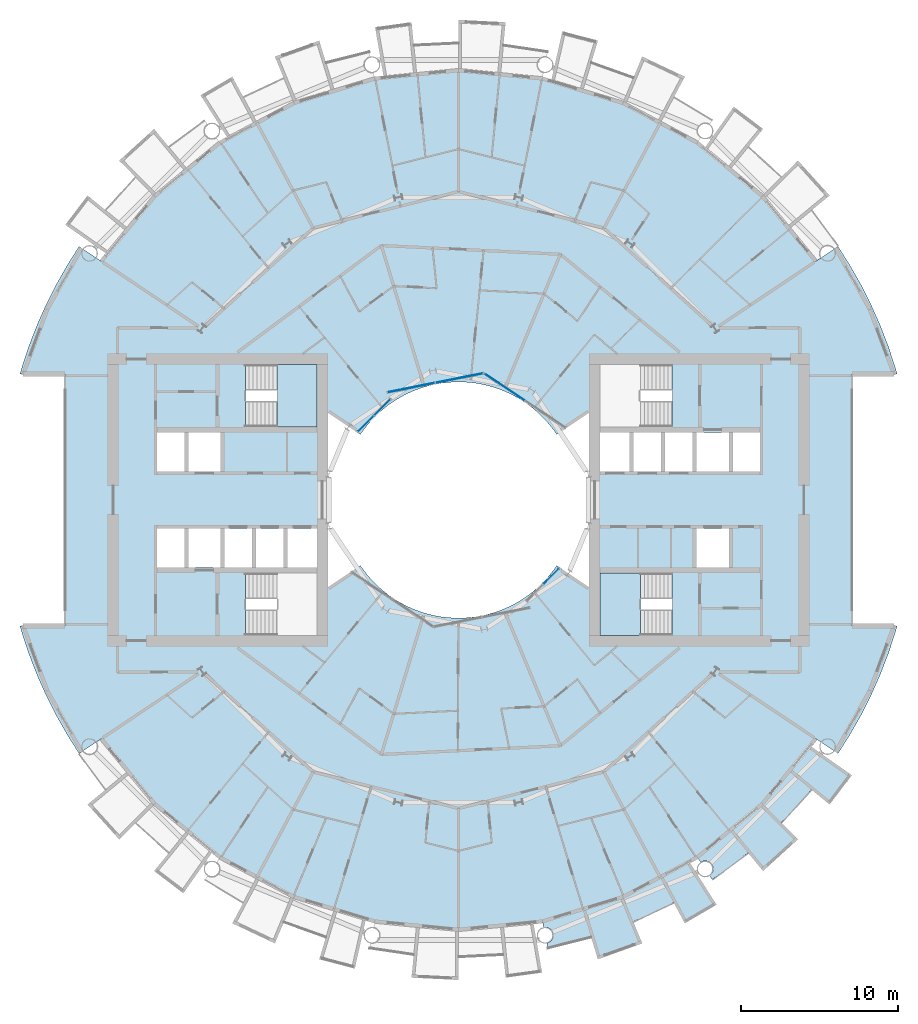
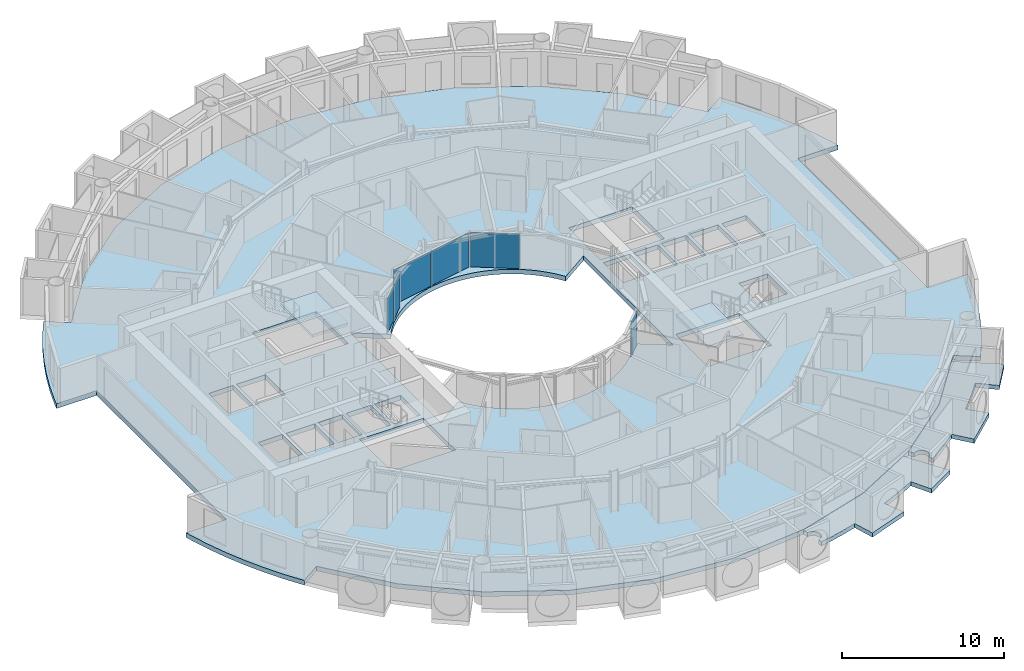
# One storey, part 10 of 26: 6 plates, 5 slabs, 6 elements without a shape of their own.
"""IFC4 building model written with IfcOpenShell, lengths in metres."""

from ifc_helpers import new_model, si_unit, direction, frame, origin, origin_2d, place, context, subcontext, project, spatial, polyline, rectangle, outline, extrude, material, layer, layer_set, type_object, element, aggregate, save


model = new_model("IFC4")

# Units and contexts
model_context = context("Model", 3, precision=1e-05, world=origin(), true_north=direction((0.0, 1.0)))
body_context = subcontext(model_context, "Body", "Model", "MODEL_VIEW")
ifc_project = project(units=[si_unit("LENGTHUNIT", "METRE"), si_unit("AREAUNIT", "SQUARE_METRE"), si_unit("VOLUMEUNIT", "CUBIC_METRE"), si_unit("PLANEANGLEUNIT", "RADIAN"), si_unit("MASSUNIT", "GRAM", prefix="KILO")], contexts=[model_context])

# Site, building, storey
site_placement = place(None, origin())
site = spatial("IfcSite", under=ifc_project, at=site_placement, CompositionType="ELEMENT")
building_placement = place(site_placement, origin())
building = spatial("IfcBuilding", under=site, at=building_placement, Name="Maasbend Ring Residences", CompositionType="ELEMENT")
storey_placement = place(building_placement, frame((0.0, 0.0, 81.89990234375)))
storey = spatial("IfcBuildingStorey", under=building, at=storey_placement, Name="L23", CompositionType="ELEMENT", Elevation=81.89990234375)

# Stair, slab
ifc_material_1 = material(Name="Concrete C40/50", Category="concrete")
stair_type = type_object("IfcStairType", Name="CORE STAIR 18 RISERS", PredefinedType="HALF_TURN_STAIR", material=ifc_material_1)
stair_1_placement = place(storey_placement, origin())
stair_1 = element("IfcStair", 1, at=stair_1_placement, inside=storey, type_object=stair_type, Name="L23 Exit stair ST-E2", PredefinedType="HALF_TURN_STAIR")
ifc_material_2 = material(Name="Concrete C40/50", Category="concrete")
ifc_layer_1 = layer(ifc_material_2, 0.199951171875)
ifc_layer_set_1 = layer_set([ifc_layer_1], Name="Concrete C40/50")
slab_type_1 = type_object("IfcSlabType", Name="CORE STAIR LANDING 200", PredefinedType="LANDING", material=ifc_layer_set_1)
slab_1_placement = place(storey_placement, frame((0.0, 0.0, 1.3251953125)))
slab_1 = element("IfcSlab", 2, at=slab_1_placement, type_object=slab_type_1, Name="ST-E2 landing 1", PredefinedType="LANDING", context=body_context, shape_type="SweptSolid", body=[
    extrude(outline(polyline([(11.550048828125, -4.64990234375), (9.0, -4.64990234375), (9.0, -8.60009765625), (11.550048828125, -8.60009765625), (11.550048828125, -4.64990234375)])), origin(), (0.0, 0.0, 1.0), 0.199951171875),
])
aggregate(stair_1, [slab_1])

stair_2_placement = place(storey_placement, origin())
stair_2 = element("IfcStair", 3, at=stair_2_placement, inside=storey, type_object=stair_type, Name="L23 Exit stair ST-W2", PredefinedType="HALF_TURN_STAIR")
slab_2_placement = place(storey_placement, frame((0.0, 0.0, 1.3251953125)))
slab_2 = element("IfcSlab", 4, at=slab_2_placement, type_object=slab_type_1, Name="ST-W2 landing 1", PredefinedType="LANDING", context=body_context, shape_type="SweptSolid", body=[
    extrude(outline(polyline([(-11.550048828125, 4.64990234375), (-9.0, 4.64990234375), (-9.0, 8.60009765625), (-11.550048828125, 8.60009765625), (-11.550048828125, 4.64990234375)])), origin(), (0.0, 0.0, 1.0), 0.199951171875),
])
aggregate(stair_2, [slab_2])

# Curtain wall, plate
ifc_material_3 = material(Name="Aluminium and clear glass", Category="aluminium")
ifc_layer_2 = layer(ifc_material_3, 0.179931640625)
ifc_layer_set_2 = layer_set([ifc_layer_2], Name="CW-W")
curtain_wall_type = type_object("IfcCurtainWallType", Name="CW-W", PredefinedType="NOTDEFINED", material=ifc_layer_set_2)
curtain_wall_1_placement = place(storey_placement, origin())
curtain_wall_1 = element("IfcCurtainWall", 5, at=curtain_wall_1_placement, inside=storey, type_object=curtain_wall_type, Name="Well curtain wall N1", PredefinedType="NOTDEFINED")
ifc_material_4 = material(Name="Glass clear laminated", Category="glass")
ifc_layer_3 = layer(ifc_material_4, 0.031982421875)
ifc_layer_set_3 = layer_set([ifc_layer_3], Name="CWP-W")
plate_type = type_object("IfcPlateType", Name="CWP-W", PredefinedType="CURTAIN_PANEL", material=ifc_layer_set_3)
plate_1_placement = place(storey_placement, frame((2.922119140625, 7.17578125, 0.0), z_axis=(0.0, 0.0, 1.0), x_axis=(-0.831469612303, 0.55557023302, 0.0)))
plate_1 = element("IfcPlate", 6, at=plate_1_placement, type_object=plate_type, Name="Glass panel well face", PredefinedType="CURTAIN_PANEL", context=body_context, shape_type="SweptSolid", body=[
    extrude(rectangle(XDim=3.053955078125, YDim=0.031982421875, at=origin_2d()), origin(), (0.0, 0.0, 1.0), 2.580078125),
])
aggregate(curtain_wall_1, [plate_1])

# Curtain wall, plates
curtain_wall_2_placement = place(storey_placement, origin())
curtain_wall_2 = element("IfcCurtainWall", 7, at=curtain_wall_2_placement, inside=storey, type_object=curtain_wall_type, Name="Well curtain wall N2", PredefinedType="NOTDEFINED")
plate_2_placement = place(storey_placement, frame((0.04638671875, 7.747802734375, 0.0), z_axis=(0.0, 0.0, 1.0), x_axis=(-0.980785280403, -0.195090322016, 0.0)))
plate_2 = element("IfcPlate", 8, at=plate_2_placement, type_object=plate_type, Name="Glass panel well face", PredefinedType="CURTAIN_PANEL", context=body_context, shape_type="SweptSolid", body=[
    extrude(rectangle(XDim=3.053955078125, YDim=0.031982421875, at=origin_2d()), origin(), (0.0, 0.0, 1.0), 2.580078125),
])
plate_3_placement = place(storey_placement, frame((-3.0078125, 7.140380859375, 0.0), z_axis=(0.0, 0.0, 1.0), x_axis=(-0.980785280403, -0.195090322016, 0.0)))
plate_3 = element("IfcPlate", 9, at=plate_3_placement, type_object=plate_type, Name="Glass panel well face", PredefinedType="CURTAIN_PANEL", context=body_context, shape_type="SweptSolid", body=[
    extrude(rectangle(XDim=3.053955078125, YDim=0.031982421875, at=origin_2d()), origin(), (0.0, 0.0, 1.0), 2.580078125),
])
aggregate(curtain_wall_2, [plate_2, plate_3])

curtain_wall_3_placement = place(storey_placement, origin())
curtain_wall_3 = element("IfcCurtainWall", 10, at=curtain_wall_3_placement, inside=storey, type_object=curtain_wall_type, Name="Well curtain wall N3", PredefinedType="NOTDEFINED")
plate_4_placement = place(storey_placement, frame((-4.84375, 5.89013671875, 0.0), z_axis=(0.0, 0.0, 1.0), x_axis=(-0.707106781187, -0.707106781187, 0.0)))
plate_4 = element("IfcPlate", 11, at=plate_4_placement, type_object=plate_type, Name="Glass panel well face", PredefinedType="CURTAIN_PANEL", context=body_context, shape_type="SweptSolid", body=[
    extrude(rectangle(XDim=1.419677734375, YDim=0.031982421875, at=origin_2d()), origin(), (0.0, 0.0, 1.0), 2.580078125),
])
plate_5_placement = place(storey_placement, frame((-5.89013671875, 4.84375, 0.0), z_axis=(0.0, 0.0, 1.0), x_axis=(-0.707106781187, -0.707106781187, 0.0)))
plate_5 = element("IfcPlate", 12, at=plate_5_placement, type_object=plate_type, Name="Glass panel well face", PredefinedType="CURTAIN_PANEL", context=body_context, shape_type="SweptSolid", body=[
    extrude(rectangle(XDim=1.419677734375, YDim=0.031982421875, at=origin_2d()), origin(), (0.0, 0.0, 1.0), 2.580078125),
])
aggregate(curtain_wall_3, [plate_4, plate_5])

# Curtain wall, plate
curtain_wall_4_placement = place(storey_placement, origin())
curtain_wall_4 = element("IfcCurtainWall", 13, at=curtain_wall_4_placement, inside=storey, type_object=curtain_wall_type, Name="Well curtain wall S3", PredefinedType="NOTDEFINED")
plate_6_placement = place(storey_placement, frame((5.89013671875, -4.84375, 0.0), z_axis=(0.0, 0.0, 1.0), x_axis=(0.707106781187, 0.707106781187, 0.0)))
plate_6 = element("IfcPlate", 14, at=plate_6_placement, type_object=plate_type, Name="Glass panel well face", PredefinedType="CURTAIN_PANEL", context=body_context, shape_type="SweptSolid", body=[
    extrude(rectangle(XDim=1.419677734375, YDim=0.031982421875, at=origin_2d()), origin(), (0.0, 0.0, 1.0), 2.580078125),
])
aggregate(curtain_wall_4, [plate_6])

# Slabs
ifc_material_5 = material(Name="Concrete C40/50", Category="concrete")
ifc_layer_4 = layer(ifc_material_5, 0.35009765625)
ifc_layer_set_4 = layer_set([ifc_layer_4], Name="Concrete C40/50")
slab_type_2 = type_object("IfcSlabType", Name="Post-tensioned flat plate 350", PredefinedType="FLOOR", material=ifc_layer_set_4)
slab_3_placement = place(storey_placement, frame((0.0, 0.0, -0.349853515625)))
element("IfcSlab", 15, at=slab_3_placement, inside=storey, type_object=slab_type_2, Name="Floor slab L23", PredefinedType="FLOOR", context=body_context, shape_type="SweptSolid", body=[
    extrude(outline(polyline([(24.8740234375, -14.908935546875), (25.57568359375, -13.67041015625), (26.2158203125, -12.399169921875), (26.79248046875, -11.097900390625), (27.3046875, -9.769775390625), (27.751220703125, -8.418212890625), (27.866943359375, -8.0), (25.0, -8.0), (25.0, 8.0), (27.866943359375, 8.0), (27.751220703125, 8.418212890625), (27.3046875, 9.769775390625), (26.79248046875, 11.097900390625), (26.2158203125, 12.399169921875), (25.57568359375, 13.67041015625), (24.8740234375, 14.908935546875), (24.112548828125, 16.111572265625), (22.69921875, 15.1669921875), (19.303955078125, 19.303955078125), (15.1669921875, 22.69921875), (10.447265625, 25.221923828125), (5.325927734375, 26.775390625), (0.0, 27.300048828125), (-5.325927734375, 26.775390625), (-10.447265625, 25.221923828125), (-15.1669921875, 22.69921875), (-19.303955078125, 19.303955078125), (-22.69921875, 15.1669921875), (-24.112548828125, 16.111572265625), (-24.8740234375, 14.908935546875), (-25.57568359375, 13.67041015625), (-26.2158203125, 12.399169921875), (-26.79248046875, 11.097900390625), (-27.3046875, 9.769775390625), (-27.751220703125, 8.418212890625), (-27.866943359375, 8.0), (-25.0, 8.0), (-25.0, -8.0), (-27.866943359375, -8.0), (-27.751220703125, -8.418212890625), (-27.3046875, -9.769775390625), (-26.79248046875, -11.097900390625), (-26.2158203125, -12.399169921875), (-25.57568359375, -13.67041015625), (-24.8740234375, -14.908935546875), (-24.112548828125, -16.111572265625), (-22.69921875, -15.1669921875), (-19.303955078125, -19.303955078125), (-15.1669921875, -22.69921875), (-10.447265625, -25.221923828125), (-5.325927734375, -26.775390625), (0.0, -27.300048828125), (5.325927734375, -26.775390625), (10.447265625, -25.221923828125), (15.1669921875, -22.69921875), (19.303955078125, -19.303955078125), (22.69921875, -15.1669921875), (24.112548828125, -16.111572265625), (24.8740234375, -14.908935546875)]), holes=[polyline([(17.425048828125, 4.27490234375), (19.14990234375, 4.27490234375), (19.14990234375, 1.824951171875), (17.425048828125, 1.824951171875), (17.425048828125, 4.27490234375)]), polyline([(15.125, 1.824951171875), (15.125, 4.27490234375), (17.175048828125, 4.27490234375), (17.175048828125, 1.824951171875), (15.125, 1.824951171875)]), polyline([(15.125, -4.27490234375), (15.125, -1.824951171875), (17.175048828125, -1.824951171875), (17.175048828125, -4.27490234375), (15.125, -4.27490234375)]), polyline([(13.125, 1.824951171875), (13.125, 4.27490234375), (14.875, 4.27490234375), (14.875, 1.824951171875), (13.125, 1.824951171875)]), polyline([(13.550048828125, 4.64990234375), (9.0, 4.64990234375), (9.0, 8.60009765625), (13.550048828125, 8.60009765625), (13.550048828125, 4.64990234375)]), polyline([(13.550048828125, -4.64990234375), (13.550048828125, -8.60009765625), (9.0, -8.60009765625), (9.0, -4.64990234375), (13.550048828125, -4.64990234375)]), polyline([(11.125, 1.824951171875), (11.125, 4.27490234375), (12.875, 4.27490234375), (12.875, 1.824951171875), (11.125, 1.824951171875)]), polyline([(9.0, 1.824951171875), (9.0, 4.27490234375), (10.875, 4.27490234375), (10.875, 1.824951171875), (9.0, 1.824951171875)]), polyline([(6.024169921875, 4.4677734375), (6.236083984375, 4.166748046875), (8.300048828125, 5.5458984375), (8.300048828125, -5.5458984375), (6.236083984375, -4.166748046875), (6.024169921875, -4.4677734375), (5.797607421875, -4.7578125), (5.55712890625, -5.03662109375), (5.30322265625, -5.30322265625), (5.03662109375, -5.55712890625), (4.7578125, -5.797607421875), (4.4677734375, -6.024169921875), (4.166748046875, -6.236083984375), (3.855712890625, -6.43310546875), (3.535400390625, -6.614501953125), (3.206787109375, -6.77978515625), (2.8701171875, -6.92919921875), (2.526611328125, -7.0615234375), (2.177001953125, -7.177001953125), (1.822509765625, -7.275146484375), (1.463134765625, -7.35595703125), (1.1005859375, -7.418701171875), (0.735107421875, -7.4638671875), (0.367919921875, -7.490966796875), (0.0, -7.5), (-0.367919921875, -7.490966796875), (-0.735107421875, -7.4638671875), (-1.1005859375, -7.418701171875), (-1.463134765625, -7.35595703125), (-1.822509765625, -7.275146484375), (-2.177001953125, -7.177001953125), (-2.526611328125, -7.0615234375), (-2.8701171875, -6.92919921875), (-3.206787109375, -6.77978515625), (-3.535400390625, -6.614501953125), (-3.855712890625, -6.43310546875), (-4.166748046875, -6.236083984375), (-4.4677734375, -6.024169921875), (-4.7578125, -5.797607421875), (-5.03662109375, -5.55712890625), (-5.30322265625, -5.30322265625), (-5.55712890625, -5.03662109375), (-5.797607421875, -4.7578125), (-6.024169921875, -4.4677734375), (-6.236083984375, -4.166748046875), (-8.300048828125, -5.5458984375), (-8.300048828125, 5.5458984375), (-6.236083984375, 4.166748046875), (-6.236083984375, 4.166748046875), (-6.024169921875, 4.4677734375), (-5.797607421875, 4.7578125), (-5.55712890625, 5.03662109375), (-5.30322265625, 5.30322265625), (-5.03662109375, 5.55712890625), (-4.7578125, 5.797607421875), (-4.4677734375, 6.024169921875), (-4.166748046875, 6.236083984375), (-3.855712890625, 6.43310546875), (-3.535400390625, 6.614501953125), (-3.206787109375, 6.77978515625), (-2.8701171875, 6.92919921875), (-2.526611328125, 7.0615234375), (-2.177001953125, 7.177001953125), (-1.822509765625, 7.275146484375), (-1.463134765625, 7.35595703125), (-1.1005859375, 7.418701171875), (-0.735107421875, 7.4638671875), (-0.367919921875, 7.490966796875), (0.0, 7.5), (0.367919921875, 7.490966796875), (0.735107421875, 7.4638671875), (1.1005859375, 7.418701171875), (1.463134765625, 7.35595703125), (1.822509765625, 7.275146484375), (2.177001953125, 7.177001953125), (2.526611328125, 7.0615234375), (2.8701171875, 6.92919921875), (3.206787109375, 6.77978515625), (3.535400390625, 6.614501953125), (3.855712890625, 6.43310546875), (4.166748046875, 6.236083984375), (4.4677734375, 6.024169921875), (4.7578125, 5.797607421875), (5.03662109375, 5.55712890625), (5.30322265625, 5.30322265625), (5.55712890625, 5.03662109375), (5.797607421875, 4.7578125), (6.024169921875, 4.4677734375)]), polyline([(-13.550048828125, 4.64990234375), (-13.550048828125, 8.60009765625), (-9.0, 8.60009765625), (-9.0, 4.64990234375), (-13.550048828125, 4.64990234375)]), polyline([(-13.550048828125, -8.60009765625), (-13.550048828125, -4.64990234375), (-9.0, -4.64990234375), (-9.0, -8.60009765625), (-13.550048828125, -8.60009765625)]), polyline([(-9.0, -1.824951171875), (-9.0, -4.27490234375), (-10.875, -4.27490234375), (-10.875, -1.824951171875), (-9.0, -1.824951171875)]), polyline([(-11.125, -1.824951171875), (-11.125, -4.27490234375), (-12.875, -4.27490234375), (-12.875, -1.824951171875), (-11.125, -1.824951171875)]), polyline([(-13.125, -1.824951171875), (-13.125, -4.27490234375), (-14.875, -4.27490234375), (-14.875, -1.824951171875), (-13.125, -1.824951171875)]), polyline([(-15.125, 4.27490234375), (-15.125, 1.824951171875), (-17.175048828125, 1.824951171875), (-17.175048828125, 4.27490234375), (-15.125, 4.27490234375)]), polyline([(-15.125, -1.824951171875), (-15.125, -4.27490234375), (-17.175048828125, -4.27490234375), (-17.175048828125, -1.824951171875), (-15.125, -1.824951171875)]), polyline([(-17.425048828125, -1.824951171875), (-17.425048828125, -4.27490234375), (-19.14990234375, -4.27490234375), (-19.14990234375, -1.824951171875), (-17.425048828125, -1.824951171875)]), polyline([(-17.425048828125, 4.27490234375), (-17.425048828125, 1.824951171875), (-19.14990234375, 1.824951171875), (-19.14990234375, 4.27490234375), (-17.425048828125, 4.27490234375)])]), origin(), (0.0, 0.0, 1.0), 0.349853515625),
])
ifc_material_6 = material(Name="Concrete C40/50", Category="concrete")
ifc_layer_5 = layer(ifc_material_6, 0.199951171875)
ifc_layer_set_5 = layer_set([ifc_layer_5], Name="Concrete C40/50")
slab_type_3 = type_object("IfcSlabType", Name="SL-LOGGIA", PredefinedType="FLOOR", material=ifc_layer_set_5)
slab_4_placement = place(storey_placement, frame((0.0, 0.0, -0.349853515625)))
element("IfcSlab", 16, at=slab_4_placement, inside=storey, type_object=slab_type_3, Name="Loggia floor 2", PredefinedType="FLOOR", context=body_context, shape_type="SweptSolid", body=[
    extrude(outline(polyline([(10.447021484375, -25.221923828125), (12.806884765625, -23.9609375), (14.64599609375, -22.97705078125), (14.64599609375, -22.97705078125), (14.64599609375, -22.97705078125), (16.39404296875, -25.718994140625), (16.39404296875, -25.718994140625), (16.39404296875, -25.718994140625), (14.3779296875, -26.89892578125), (14.3779296875, -26.89892578125), (14.3779296875, -26.89892578125), (13.6708984375, -25.575927734375), (13.6708984375, -25.575927734375), (13.6708984375, -25.575927734375), (13.6708984375, -25.575927734375), (13.6708984375, -25.575927734375), (13.6708984375, -25.575927734375), (13.6708984375, -25.575927734375), (13.669921875, -25.575927734375), (13.669921875, -25.575927734375), (13.669921875, -25.575927734375), (13.669921875, -25.575927734375), (13.669921875, -25.575927734375), (13.669921875, -25.575927734375), (13.669921875, -25.575927734375), (13.669921875, -25.575927734375), (13.669921875, -25.575927734375), (13.669921875, -25.575927734375), (12.825927734375, -26.009033203125), (12.825927734375, -26.009033203125), (11.968994140625, -26.4150390625), (11.968994140625, -26.4150390625), (11.097900390625, -26.7919921875), (11.097900390625, -26.7919921875), (11.097900390625, -26.7919921875), (11.097900390625, -26.7919921875), (11.097900390625, -26.7919921875), (11.097900390625, -26.7919921875), (11.097900390625, -26.7919921875), (11.097900390625, -26.79296875), (11.097900390625, -26.79296875), (11.097900390625, -26.79296875), (11.097900390625, -26.79296875), (11.097900390625, -26.79296875), (11.097900390625, -26.79296875), (11.097900390625, -26.79296875), (11.097900390625, -26.79296875), (11.097900390625, -26.79296875), (11.097900390625, -26.79296875), (11.672119140625, -28.177978515625), (11.672119140625, -28.177978515625), (11.672119140625, -28.177978515625), (8.85400390625, -29.18701171875), (8.85400390625, -29.18701171875), (8.85400390625, -29.18701171875), (8.41796875, -27.751953125), (8.41796875, -27.751953125), (8.41796875, -27.751953125), (8.41796875, -27.751953125), (8.41796875, -27.751953125), (8.41796875, -27.751953125), (8.41796875, -27.751953125), (8.41796875, -27.7509765625), (8.41796875, -27.7509765625), (8.41796875, -27.7509765625), (8.41796875, -27.7509765625), (8.41796875, -27.7509765625), (8.41796875, -27.7509765625), (8.41796875, -27.7509765625), (8.41796875, -27.7509765625), (8.41796875, -27.7509765625), (8.41796875, -27.7509765625), (7.506103515625, -28.011962890625), (7.506103515625, -28.011962890625), (6.5849609375, -28.241943359375), (6.5849609375, -28.241943359375), (5.657958984375, -28.443115234375), (5.657958984375, -28.443115234375), (5.657958984375, -28.443115234375), (5.60107421875, -28.156005859375), (5.613037109375, -28.154052734375), (5.625, -28.15087890625), (5.636962890625, -28.14794921875), (5.64892578125, -28.14404296875), (5.660888671875, -28.139892578125), (5.673095703125, -28.135986328125), (5.68408203125, -28.132080078125), (5.696044921875, -28.126953125), (5.70703125, -28.123046875), (5.718994140625, -28.116943359375), (5.72998046875, -28.112060546875), (5.740966796875, -28.10595703125), (5.751953125, -28.10009765625), (5.762939453125, -28.093994140625), (5.77294921875, -28.0869140625), (5.783935546875, -28.080078125), (5.7939453125, -28.072998046875), (5.803955078125, -28.06591796875), (5.81396484375, -28.05908203125), (5.823974609375, -28.051025390625), (5.8330078125, -28.04296875), (5.843017578125, -28.034912109375), (5.85205078125, -28.02587890625), (5.861083984375, -28.01708984375), (5.868896484375, -28.008056640625), (5.8779296875, -27.9990234375), (5.885986328125, -27.989990234375), (5.89404296875, -27.97998046875), (5.902099609375, -27.970947265625), (5.909912109375, -27.9609375), (5.9169921875, -27.950927734375), (5.924072265625, -27.93994140625), (5.930908203125, -27.929931640625), (5.93701171875, -27.9189453125), (5.944091796875, -27.907958984375), (5.949951171875, -27.89794921875), (5.955078125, -27.886962890625), (5.9609375, -27.875), (5.966064453125, -27.864013671875), (5.970947265625, -27.85302734375), (5.97509765625, -27.841064453125), (5.97998046875, -27.8291015625), (5.98388671875, -27.81689453125), (5.988037109375, -27.805908203125), (5.990966796875, -27.7939453125), (5.993896484375, -27.781982421875), (5.9970703125, -27.76904296875), (6.0, -27.757080078125), (6.001953125, -27.7451171875), (6.00390625, -27.73291015625), (6.006103515625, -27.719970703125), (6.007080078125, -27.7080078125), (6.008056640625, -27.695068359375), (6.009033203125, -27.68310546875), (6.009033203125, -27.6708984375), (6.010009765625, -27.657958984375), (6.009033203125, -27.64599609375), (6.009033203125, -27.633056640625), (6.008056640625, -27.62109375), (6.007080078125, -27.60791015625), (6.006103515625, -27.595947265625), (6.00390625, -27.583984375), (6.001953125, -27.571044921875), (6.0, -27.55908203125), (5.9970703125, -27.547119140625), (5.993896484375, -27.534912109375), (5.990966796875, -27.52294921875), (5.988037109375, -27.510986328125), (5.98388671875, -27.4990234375), (5.97998046875, -27.487060546875), (5.97509765625, -27.47509765625), (5.970947265625, -27.464111328125), (5.966064453125, -27.451904296875), (5.9609375, -27.44091796875), (5.955078125, -27.429931640625), (5.949951171875, -27.4189453125), (5.944091796875, -27.407958984375), (5.93701171875, -27.39697265625), (5.930908203125, -27.385986328125), (5.924072265625, -27.3759765625), (5.9169921875, -27.365966796875), (5.909912109375, -27.35498046875), (5.902099609375, -27.345947265625), (5.89404296875, -27.3359375), (5.885986328125, -27.325927734375), (5.8779296875, -27.31689453125), (5.868896484375, -27.30810546875), (5.861083984375, -27.299072265625), (5.85205078125, -27.2900390625), (5.843017578125, -27.281982421875), (5.8330078125, -27.27294921875), (5.823974609375, -27.264892578125), (5.81396484375, -27.258056640625), (5.803955078125, -27.25), (5.7939453125, -27.242919921875), (5.783935546875, -27.236083984375), (5.77294921875, -27.22900390625), (5.762939453125, -27.221923828125), (5.751953125, -27.216064453125), (5.740966796875, -27.2099609375), (5.72998046875, -27.2041015625), (5.718994140625, -27.198974609375), (5.70703125, -27.194091796875), (5.696044921875, -27.18896484375), (5.68408203125, -27.18408203125), (5.673095703125, -27.179931640625), (5.660888671875, -27.176025390625), (5.64892578125, -27.172119140625), (5.636962890625, -27.1689453125), (5.625, -27.1650390625), (5.613037109375, -27.162109375), (5.60107421875, -27.159912109375), (5.587890625, -27.157958984375), (5.575927734375, -27.156005859375), (5.56396484375, -27.154052734375), (5.551025390625, -27.153076171875), (5.5390625, -27.15087890625), (5.52587890625, -27.15087890625), (5.513916015625, -27.14990234375), (5.501953125, -27.14990234375), (5.489013671875, -27.14990234375), (5.47705078125, -27.15087890625), (5.464111328125, -27.15087890625), (5.451904296875, -27.153076171875), (5.43896484375, -27.154052734375), (5.427001953125, -27.156005859375), (5.4150390625, -27.157958984375), (5.402099609375, -27.159912109375), (5.325927734375, -26.77490234375), (5.325927734375, -26.77490234375), (5.325927734375, -26.77490234375), (7.886962890625, -25.9990234375), (10.447021484375, -25.221923828125), (10.447021484375, -25.221923828125), (10.447021484375, -25.221923828125)])), origin(), (0.0, 0.0, 1.0), 0.320068359375),
])
slab_5_placement = place(storey_placement, frame((0.0, 0.0, -0.349853515625)))
element("IfcSlab", 17, at=slab_5_placement, inside=storey, type_object=slab_type_3, Name="Loggia floor 5", PredefinedType="FLOOR", context=body_context, shape_type="SweptSolid", body=[
    extrude(outline(polyline([(19.303955078125, -19.303955078125), (21.001953125, -17.236083984375), (22.324951171875, -15.623046875), (22.324951171875, -15.623046875), (22.324951171875, -15.623046875), (24.989013671875, -17.488037109375), (24.989013671875, -17.488037109375), (24.989013671875, -17.488037109375), (23.576904296875, -19.34912109375), (23.576904296875, -19.34912109375), (23.576904296875, -19.34912109375), (22.41796875, -18.39794921875), (22.41796875, -18.39794921875), (22.41796875, -18.39794921875), (22.41796875, -18.39794921875), (22.41796875, -18.39794921875), (22.4169921875, -18.39794921875), (22.4169921875, -18.39794921875), (22.4169921875, -18.39794921875), (22.4169921875, -18.39794921875), (22.4169921875, -18.39794921875), (22.4169921875, -18.39794921875), (22.4169921875, -18.39794921875), (22.4169921875, -18.39794921875), (22.4169921875, -18.39794921875), (22.4169921875, -18.39794921875), (22.4169921875, -18.39794921875), (22.4169921875, -18.39794921875), (21.802978515625, -19.12109375), (21.802978515625, -19.12109375), (21.166015625, -19.823974609375), (21.166015625, -19.823974609375), (20.506103515625, -20.506103515625), (20.506103515625, -20.506103515625), (20.506103515625, -20.506103515625), (20.506103515625, -20.506103515625), (20.506103515625, -20.506103515625), (20.506103515625, -20.506103515625), (20.506103515625, -20.506103515625), (20.506103515625, -20.506103515625), (20.506103515625, -20.506103515625), (20.506103515625, -20.506103515625), (20.506103515625, -20.506103515625), (20.506103515625, -20.506103515625), (20.506103515625, -20.506103515625), (20.506103515625, -20.506103515625), (20.506103515625, -20.506103515625), (20.506103515625, -20.506103515625), (20.506103515625, -20.506103515625), (21.56689453125, -21.56689453125), (21.56689453125, -21.56689453125), (21.56689453125, -21.56689453125), (19.34912109375, -23.576904296875), (19.34912109375, -23.576904296875), (19.34912109375, -23.576904296875), (18.39794921875, -22.41796875), (18.39794921875, -22.41796875), (18.39794921875, -22.41796875), (18.39794921875, -22.41796875), (18.39794921875, -22.41796875), (18.39794921875, -22.41796875), (18.39697265625, -22.41796875), (18.39697265625, -22.41796875), (18.39697265625, -22.41796875), (18.39697265625, -22.41796875), (18.39697265625, -22.41796875), (18.39697265625, -22.41796875), (18.39697265625, -22.41796875), (18.39697265625, -22.41796875), (18.39697265625, -22.41796875), (18.39697265625, -22.41796875), (18.39697265625, -22.41796875), (17.654052734375, -23.007080078125), (17.654052734375, -23.007080078125), (16.89208984375, -23.572998046875), (16.89208984375, -23.572998046875), (16.112060546875, -24.113037109375), (16.112060546875, -24.113037109375), (16.112060546875, -24.113037109375), (15.948974609375, -23.8701171875), (15.948974609375, -23.8701171875), (15.9599609375, -23.863037109375), (15.969970703125, -23.85498046875), (15.97998046875, -23.847900390625), (15.989013671875, -23.840087890625), (15.9990234375, -23.83203125), (16.008056640625, -23.823974609375), (16.01708984375, -23.81494140625), (16.02587890625, -23.806884765625), (16.034912109375, -23.798095703125), (16.0439453125, -23.7890625), (16.052001953125, -23.779052734375), (16.06005859375, -23.77001953125), (16.068115234375, -23.760009765625), (16.074951171875, -23.75), (16.08203125, -23.739990234375), (16.089111328125, -23.72998046875), (16.095947265625, -23.718994140625), (16.10302734375, -23.708984375), (16.10888671875, -23.697998046875), (16.114990234375, -23.68701171875), (16.12109375, -23.676025390625), (16.1259765625, -23.6650390625), (16.132080078125, -23.653076171875), (16.135986328125, -23.64208984375), (16.14111328125, -23.6298828125), (16.14501953125, -23.618896484375), (16.14892578125, -23.60693359375), (16.153076171875, -23.594970703125), (16.156982421875, -23.5830078125), (16.159912109375, -23.571044921875), (16.1630859375, -23.55908203125), (16.1650390625, -23.547119140625), (16.16796875, -23.533935546875), (16.169921875, -23.52197265625), (16.1708984375, -23.510009765625), (16.173095703125, -23.4970703125), (16.174072265625, -23.485107421875), (16.174072265625, -23.471923828125), (16.175048828125, -23.4599609375), (16.175048828125, -23.447021484375), (16.175048828125, -23.43505859375), (16.174072265625, -23.422119140625), (16.174072265625, -23.409912109375), (16.173095703125, -23.39794921875), (16.1708984375, -23.385009765625), (16.169921875, -23.373046875), (16.16796875, -23.361083984375), (16.1650390625, -23.347900390625), (16.1630859375, -23.3359375), (16.159912109375, -23.323974609375), (16.156982421875, -23.31201171875), (16.153076171875, -23.300048828125), (16.14892578125, -23.2880859375), (16.14501953125, -23.27587890625), (16.14111328125, -23.264892578125), (16.135986328125, -23.2529296875), (16.132080078125, -23.241943359375), (16.1259765625, -23.22998046875), (16.12109375, -23.218994140625), (16.114990234375, -23.2080078125), (16.10888671875, -23.197021484375), (16.10302734375, -23.18603515625), (16.095947265625, -23.176025390625), (16.089111328125, -23.1650390625), (16.08203125, -23.155029296875), (16.074951171875, -23.14501953125), (16.068115234375, -23.135009765625), (16.06005859375, -23.125), (16.052001953125, -23.115966796875), (16.0439453125, -23.10595703125), (16.034912109375, -23.096923828125), (16.02587890625, -23.087890625), (16.01708984375, -23.0791015625), (16.008056640625, -23.071044921875), (15.9990234375, -23.06298828125), (15.989013671875, -23.054931640625), (15.97998046875, -23.047119140625), (15.969970703125, -23.0390625), (15.9599609375, -23.031982421875), (15.948974609375, -23.02490234375), (15.93896484375, -23.01806640625), (15.927978515625, -23.011962890625), (15.9169921875, -23.0048828125), (15.906982421875, -22.9990234375), (15.89599609375, -22.993896484375), (15.884033203125, -22.988037109375), (15.873046875, -22.98291015625), (15.862060546875, -22.97802734375), (15.85009765625, -22.972900390625), (15.837890625, -22.968994140625), (15.825927734375, -22.965087890625), (15.81494140625, -22.9609375), (15.802978515625, -22.9580078125), (15.791015625, -22.955078125), (15.778076171875, -22.951904296875), (15.76611328125, -22.948974609375), (15.75390625, -22.947021484375), (15.741943359375, -22.945068359375), (15.72900390625, -22.943115234375), (15.717041015625, -22.94189453125), (15.7041015625, -22.94091796875), (15.69189453125, -22.93994140625), (15.679931640625, -22.93994140625), (15.6669921875, -22.93896484375), (15.655029296875, -22.93994140625), (15.64208984375, -22.93994140625), (15.6298828125, -22.94091796875), (15.616943359375, -22.94189453125), (15.60498046875, -22.943115234375), (15.593017578125, -22.945068359375), (15.580078125, -22.947021484375), (15.568115234375, -22.948974609375), (15.555908203125, -22.951904296875), (15.5439453125, -22.955078125), (15.531982421875, -22.9580078125), (15.52001953125, -22.9609375), (15.508056640625, -22.965087890625), (15.49609375, -22.968994140625), (15.48388671875, -22.972900390625), (15.472900390625, -22.97802734375), (15.4609375, -22.98291015625), (15.449951171875, -22.988037109375), (15.43896484375, -22.993896484375), (15.427978515625, -22.9990234375), (15.4169921875, -23.0048828125), (15.406005859375, -23.011962890625), (15.39501953125, -23.01806640625), (15.385009765625, -23.02490234375), (15.385009765625, -23.02490234375), (15.1669921875, -22.698974609375), (15.1669921875, -22.698974609375), (15.1669921875, -22.698974609375), (17.236083984375, -21.001953125), (19.303955078125, -19.303955078125), (19.303955078125, -19.303955078125), (19.303955078125, -19.303955078125)])), origin(), (0.0, 0.0, 1.0), 0.320068359375),
])

save(model, "model.ifc")
